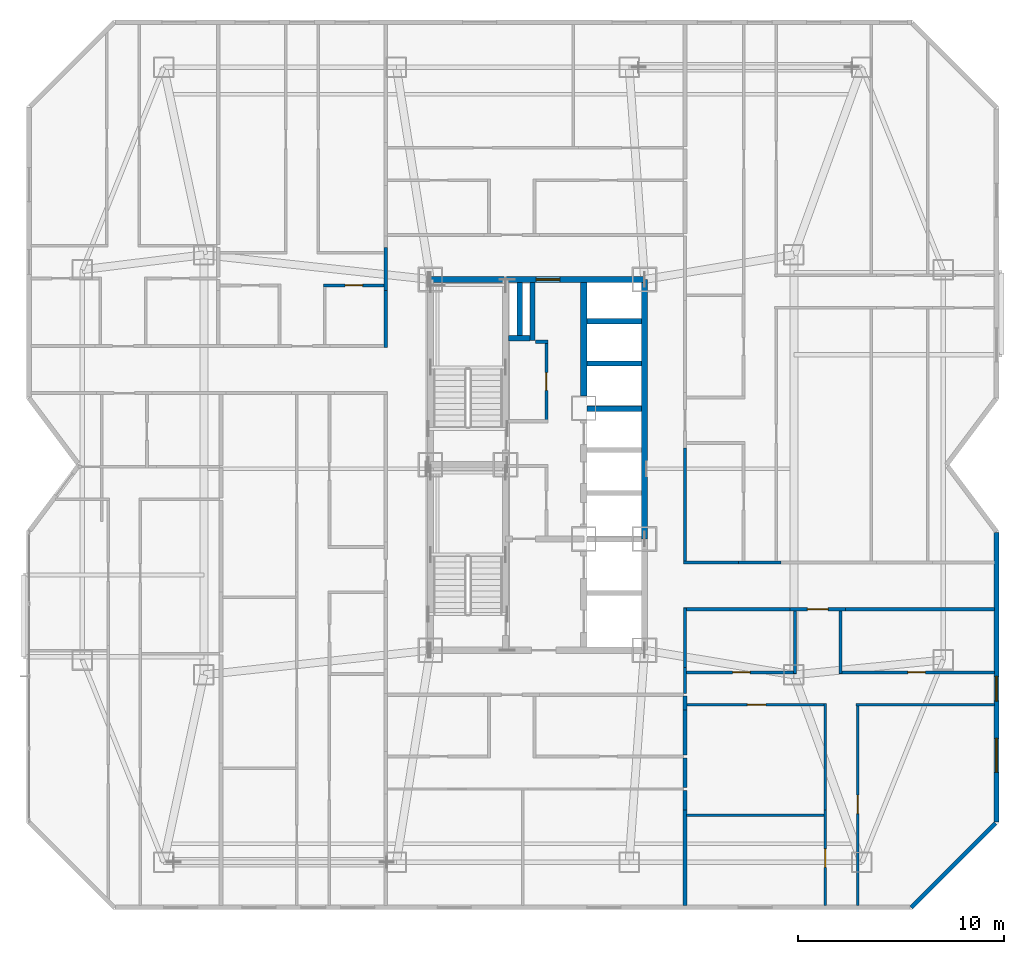
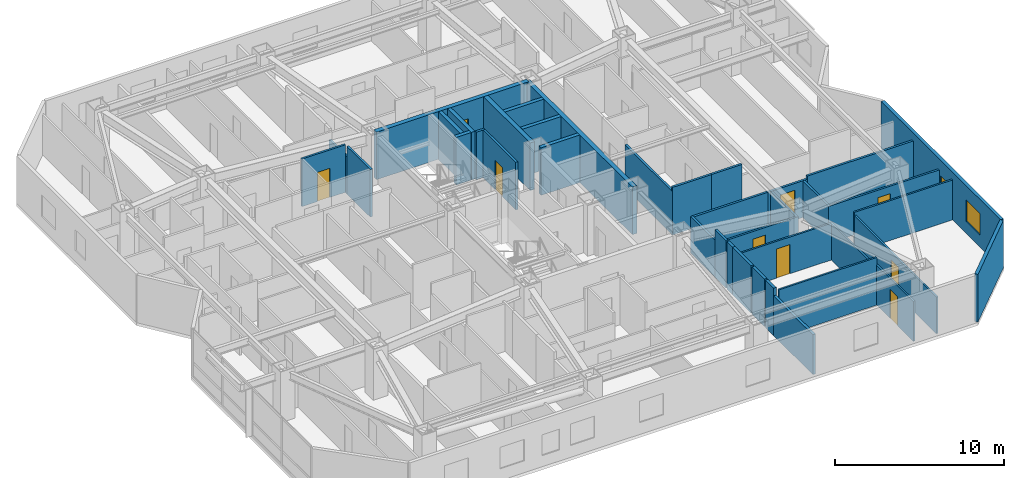
# One storey, part 14 of 18: 39 walls, 9 doors, 2 windows, 11 openings.
"""IFC4 building model written with IfcOpenShell, lengths in metres."""

from ifc_helpers import new_model, si_unit, direction, frame, frame_2d, origin, place, context, subcontext, project, spatial, rectangle, extrude, material, layer, layer_set, type_object, element, fill, save


model = new_model("IFC4")

# Units and contexts
model_context = context("Model", 3, precision=1e-05, world=origin(), true_north=direction((0.0, 1.0)))
body_context = subcontext(model_context, "Body", "Model", "MODEL_VIEW")
ifc_project = project(units=[si_unit("LENGTHUNIT", "METRE"), si_unit("AREAUNIT", "SQUARE_METRE"), si_unit("VOLUMEUNIT", "CUBIC_METRE"), si_unit("PLANEANGLEUNIT", "RADIAN"), si_unit("MASSUNIT", "GRAM", prefix="KILO")], contexts=[model_context])

# Site, building, storey
site_placement = place(None, origin())
site = spatial("IfcSite", under=ifc_project, at=site_placement, CompositionType="ELEMENT")
building_placement = place(site_placement, origin())
building = spatial("IfcBuilding", under=site, at=building_placement, Name="Khamvora Tower", CompositionType="ELEMENT")
storey_placement = place(building_placement, frame((0.0, 0.0, 109.199951171875)))
storey = spatial("IfcBuildingStorey", under=building, at=storey_placement, Name="L27", CompositionType="ELEMENT", Elevation=109.199951171875)

# Wall, opening, door
ifc_material_1 = material(Name="Concrete C50/60", Category="concrete")
ifc_layer_1 = layer(ifc_material_1, 0.300048828125)
ifc_layer_set_1 = layer_set([ifc_layer_1], Name="Concrete C50/60")
wall_type_1 = type_object("IfcWallType", Name="WAL-CORE-300", PredefinedType="SHEAR", material=ifc_layer_set_1)
wall_1_placement = place(storey_placement, frame((29.0, 37.0, 0.0), z_axis=(0.0, 0.0, 1.0), x_axis=(1.0, 0.0, 0.0)))
wall_1 = element("IfcWall", 1, at=wall_1_placement, inside=storey, type_object=wall_type_1, Name="L27 central core north wall", PredefinedType="SHEAR", context=body_context, shape_type="SweptSolid", body=[
    extrude(rectangle(XDim=10.39990234375, YDim=0.300048828125, at=frame_2d((5.199951171875, 0.0))), origin(), (0.0, 0.0, 1.0), 3.429931640625),
])
opening_1_placement = place(wall_1_placement, frame((5.139892578125, 0.0, 0.0)))
opening_1 = element("IfcOpeningElement", 2, at=opening_1_placement, cuts=wall_1, Name="Opening D-SC1", PredefinedType="OPENING", context=body_context, shape_type="SweptSolid", body=[
    extrude(rectangle(XDim=1.14990234375, YDim=2.199951171875, at=frame_2d((0.574951171875, 1.10009765625))), frame((0.0, 0.159912109375, 0.0), z_axis=(0.0, -1.0, 0.0), x_axis=(1.0, 0.0, 0.0)), (0.0, 0.0, 1.0), 0.320068359375),
])
ifc_material_2 = material(Name="Powder-Coated Steel and Hardwood Leaf", Category="steel")
door_type_1 = type_object("IfcDoorType", Name="DOR-SCHL-1150", OperationType="NOTDEFINED", PredefinedType="DOOR", material=ifc_material_2)
door_1_placement = place(opening_1_placement, origin())
door_1 = element("IfcDoor", 3, at=door_1_placement, inside=storey, type_object=door_type_1, Name="L27 north core lobby to corridor fire door", OperationType="SINGLE_SWING_RIGHT", OverallHeight=2.199951171875, OverallWidth=1.14990234375, PredefinedType="DOOR", context=body_context, shape_type="SweptSolid", body=[
    extrude(rectangle(XDim=1.14990234375, YDim=2.199951171875, at=frame_2d((0.574951171875, 1.10009765625))), frame((0.0, 0.02490234375, 0.0), z_axis=(0.0, -1.0, 0.0), x_axis=(1.0, 0.0, 0.0)), (0.0, 0.0, 1.0), 0.050048828125),
])
fill(opening_1, door_1)

# Walls
wall_2_placement = place(storey_placement, frame((39.39990234375, 24.39990234375, 0.0), z_axis=(0.0, 0.0, 1.0), x_axis=(0.0, 1.0, 0.0)))
element("IfcWall", 4, at=wall_2_placement, inside=storey, type_object=wall_type_1, Name="L27 central core east north wall", PredefinedType="SHEAR", context=body_context, shape_type="SweptSolid", body=[
    extrude(rectangle(XDim=12.60009765625, YDim=0.300048828125, at=frame_2d((6.300048828125, 0.0))), origin(), (0.0, 0.0, 1.0), 3.429931640625),
])
wall_3_placement = place(storey_placement, frame((36.449951171875, 31.35009765625, 0.0), z_axis=(0.0, 0.0, 1.0), x_axis=(0.0, 1.0, 0.0)))
element("IfcWall", 5, at=wall_3_placement, inside=storey, type_object=wall_type_1, Name="L27 central core lift bank north wall", PredefinedType="SHEAR", context=body_context, shape_type="SweptSolid", body=[
    extrude(rectangle(XDim=5.495849609375, YDim=0.300048828125, at=frame_2d((2.748046875, 0.0))), origin(), (0.0, 0.0, 1.0), 3.429931640625),
])

# Wall, opening, door
ifc_material_3 = material(Name="Fire-Rated Drywall and Steel Stud", Category="steel")
ifc_layer_2 = layer(ifc_material_3, 0.14990234375)
ifc_layer_set_2 = layer_set([ifc_layer_2], Name="Fire-Rated Drywall and Steel Stud")
wall_type_2 = type_object("IfcWallType", Name="WAL-CORR-150", PredefinedType="STANDARD", material=ifc_layer_set_2)
wall_4_placement = place(storey_placement, frame((34.635009765625, 30.052001953125, 0.0), z_axis=(0.0, 0.0, 1.0), x_axis=(0.0, 1.0, 0.0)))
wall_4 = element("IfcWall", 6, at=wall_4_placement, inside=storey, type_object=wall_type_2, Name="L27 interior partition wall 002", PredefinedType="STANDARD", context=body_context, shape_type="SweptSolid", body=[
    extrude(rectangle(XDim=3.988037109375, YDim=0.14990234375, at=frame_2d((1.994140625, 0.0))), origin(), (0.0, 0.0, 1.0), 3.429931640625),
])
opening_2_placement = place(wall_4_placement, frame((1.569091796875, 0.0, 0.0)))
opening_2 = element("IfcOpeningElement", 7, at=opening_2_placement, cuts=wall_4, Name="Opening D-WC1", PredefinedType="OPENING", context=body_context, shape_type="SweptSolid", body=[
    extrude(rectangle(XDim=0.85009765625, YDim=2.10009765625, at=frame_2d((0.425048828125, 1.050048828125))), frame((0.0, 0.0849609375, 0.0), z_axis=(0.0, -1.0, 0.0), x_axis=(1.0, 0.0, 0.0)), (0.0, 0.0, 1.0), 0.169921875),
])
door_type_2 = type_object("IfcDoorType", Name="DOR-WET-850", OperationType="NOTDEFINED", PredefinedType="DOOR", material=ifc_material_2)
door_2_placement = place(opening_2_placement, origin())
door_2 = element("IfcDoor", 8, at=door_2_placement, inside=storey, type_object=door_type_2, Name="L27 interior door PLL-CS1", OperationType="SINGLE_SWING_LEFT", OverallHeight=2.10009765625, OverallWidth=0.85009765625, PredefinedType="DOOR", context=body_context, shape_type="SweptSolid", body=[
    extrude(rectangle(XDim=0.85009765625, YDim=2.10009765625, at=frame_2d((0.425048828125, 1.050048828125))), frame((0.0, 0.02490234375, 0.0), z_axis=(0.0, -1.0, 0.0), x_axis=(1.0, 0.0, 0.0)), (0.0, 0.0, 1.0), 0.050048828125),
])
fill(opening_2, door_2)

# Walls
wall_5_placement = place(storey_placement, frame((34.699951171875, 33.97509765625, 0.0), z_axis=(0.0, 0.0, 1.0), x_axis=(-1.0, 0.0, 0.0)))
element("IfcWall", 9, at=wall_5_placement, inside=storey, type_object=wall_type_2, Name="L27 interior partition wall 003", PredefinedType="STANDARD", context=body_context, shape_type="SweptSolid", body=[
    extrude(rectangle(XDim=0.599853515625, YDim=0.14990234375, at=frame_2d((0.2998046875, 0.0))), origin(), (0.0, 0.0, 1.0), 3.429931640625),
])
wall_6_placement = place(storey_placement, frame((26.8349609375, 36.465087890625, 0.0), z_axis=(0.0, 0.0, 1.0), x_axis=(0.0, 1.0, 0.0)))
element("IfcWall", 10, at=wall_6_placement, inside=storey, type_object=wall_type_2, Name="L27 interior partition wall 019", PredefinedType="STANDARD", context=body_context, shape_type="SweptSolid", body=[
    extrude(rectangle(XDim=2.077880859375, YDim=0.14990234375, at=frame_2d((1.0390625, 0.0))), origin(), (0.0, 0.0, 1.0), 2.64697265625),
])
wall_7_placement = place(storey_placement, frame((26.8349609375, 33.699951171875, 0.0), z_axis=(0.0, 0.0, 1.0), x_axis=(0.0, 1.0, 0.0)))
element("IfcWall", 11, at=wall_7_placement, inside=storey, type_object=wall_type_2, Name="L27 interior partition wall 022", PredefinedType="STANDARD", context=body_context, shape_type="SweptSolid", body=[
    extrude(rectangle(XDim=2.76513671875, YDim=0.14990234375, at=frame_2d((1.382568359375, 0.0))), origin(), (0.0, 0.0, 1.0), 3.429931640625),
])

# Wall, opening, door
wall_8_placement = place(storey_placement, frame((49.158935546875, 20.985107421875, 0.0), z_axis=(0.0, 0.0, 1.0), x_axis=(-1.0, 0.0, 0.0)))
wall_8 = element("IfcWall", 12, at=wall_8_placement, inside=storey, type_object=wall_type_2, Name="L27 interior partition wall 031", PredefinedType="STANDARD", context=body_context, shape_type="SweptSolid", body=[
    extrude(rectangle(XDim=2.697998046875, YDim=0.14990234375, at=frame_2d((1.34912109375, 0.0))), origin(), (0.0, 0.0, 1.0), 2.64697265625),
])
opening_3_placement = place(wall_8_placement, frame((0.84912109375, 0.0, 0.0)))
opening_3 = element("IfcOpeningElement", 13, at=opening_3_placement, cuts=wall_8, Name="Opening D-U1", PredefinedType="OPENING", context=body_context, shape_type="SweptSolid", body=[
    extrude(rectangle(XDim=1.0, YDim=2.14990234375, at=frame_2d((0.5, 1.074951171875))), frame((0.0, 0.0849609375, 0.0), z_axis=(0.0, -1.0, 0.0), x_axis=(1.0, 0.0, 0.0)), (0.0, 0.0, 1.0), 0.169921875),
])
door_type_3 = type_object("IfcDoorType", Name="DOR-UNIT-1000", OperationType="NOTDEFINED", PredefinedType="DOOR", material=ifc_material_2)
door_3_placement = place(opening_3_placement, origin())
door_3 = element("IfcDoor", 14, at=door_3_placement, inside=storey, type_object=door_type_3, Name="L27 interior door COR-27EAH", OperationType="SINGLE_SWING_LEFT", OverallHeight=2.14990234375, OverallWidth=1.0, PredefinedType="DOOR", context=body_context, shape_type="SweptSolid", body=[
    extrude(rectangle(XDim=1.0, YDim=2.14990234375, at=frame_2d((0.5, 1.074951171875))), frame((0.0, 0.02490234375, 0.0), z_axis=(0.0, -1.0, 0.0), x_axis=(1.0, 0.0, 0.0)), (0.0, 0.0, 1.0), 0.050048828125),
])
fill(opening_3, door_3)

# Walls
wall_9_placement = place(storey_placement, frame((41.364990234375, 18.169921875, 0.0), z_axis=(0.0, 0.0, 1.0), x_axis=(0.0, -1.0, 0.0)))
element("IfcWall", 15, at=wall_9_placement, inside=storey, type_object=wall_type_2, Name="L27 interior partition wall 032", PredefinedType="STANDARD", context=body_context, shape_type="SweptSolid", body=[
    extrude(rectangle(XDim=1.27001953125, YDim=0.14990234375, at=frame_2d((0.635009765625, 0.0))), origin(), (0.0, 0.0, 1.0), 3.429931640625),
])
wall_10_placement = place(storey_placement, frame((46.4609375, 20.985107421875, 0.0), z_axis=(0.0, 0.0, 1.0), x_axis=(-1.0, 0.0, 0.0)))
element("IfcWall", 16, at=wall_10_placement, inside=storey, type_object=wall_type_2, Name="L27 interior partition wall 033", PredefinedType="STANDARD", context=body_context, shape_type="SweptSolid", body=[
    extrude(rectangle(XDim=5.160888671875, YDim=0.14990234375, at=frame_2d((2.58056640625, 0.0))), origin(), (0.0, 0.0, 1.0), 2.64697265625),
])
wall_11_placement = place(storey_placement, frame((41.364990234375, 21.050048828125, 0.0), z_axis=(0.0, 0.0, 1.0), x_axis=(0.0, -1.0, 0.0)))
element("IfcWall", 17, at=wall_11_placement, inside=storey, type_object=wall_type_2, Name="L27 interior partition wall 034", PredefinedType="STANDARD", context=body_context, shape_type="SweptSolid", body=[
    extrude(rectangle(XDim=2.880126953125, YDim=0.14990234375, at=frame_2d((1.43994140625, 0.0))), origin(), (0.0, 0.0, 1.0), 2.64697265625),
])
wall_12_placement = place(storey_placement, frame((56.387939453125, 20.985107421875, 0.0), z_axis=(0.0, 0.0, 1.0), x_axis=(-1.0, 0.0, 0.0)))
element("IfcWall", 18, at=wall_12_placement, inside=storey, type_object=wall_type_2, Name="L27 interior partition wall 035", PredefinedType="STANDARD", context=body_context, shape_type="SweptSolid", body=[
    extrude(rectangle(XDim=7.22900390625, YDim=0.14990234375, at=frame_2d((3.614501953125, 0.0))), origin(), (0.0, 0.0, 1.0), 2.8759765625),
])
wall_13_placement = place(storey_placement, frame((43.95703125, 23.264892578125, 0.0), z_axis=(0.0, 0.0, 1.0), x_axis=(1.0, 0.0, 0.0)))
element("IfcWall", 19, at=wall_13_placement, inside=storey, type_object=wall_type_2, Name="L27 interior partition wall 038", PredefinedType="STANDARD", context=body_context, shape_type="SweptSolid", body=[
    extrude(rectangle(XDim=2.077880859375, YDim=0.14990234375, at=frame_2d((1.0390625, 0.0))), origin(), (0.0, 0.0, 1.0), 3.429931640625),
])
wall_14_placement = place(storey_placement, frame((41.364990234375, 28.81689453125, 0.0), z_axis=(0.0, 0.0, 1.0), x_axis=(0.0, -1.0, 0.0)))
element("IfcWall", 20, at=wall_14_placement, inside=storey, type_object=wall_type_2, Name="L27 interior partition wall 040", PredefinedType="STANDARD", context=body_context, shape_type="SweptSolid", body=[
    extrude(rectangle(XDim=5.616943359375, YDim=0.14990234375, at=frame_2d((2.80859375, 0.0))), origin(), (0.0, 0.0, 1.0), 3.10693359375),
])
wall_15_placement = place(storey_placement, frame((41.300048828125, 23.264892578125, 0.0), z_axis=(0.0, 0.0, 1.0), x_axis=(1.0, 0.0, 0.0)))
element("IfcWall", 21, at=wall_15_placement, inside=storey, type_object=wall_type_2, Name="L27 interior partition wall 041", PredefinedType="STANDARD", context=body_context, shape_type="SweptSolid", body=[
    extrude(rectangle(XDim=2.656982421875, YDim=0.14990234375, at=frame_2d((1.32861328125, 0.0))), origin(), (0.0, 0.0, 1.0), 3.429931640625),
])
ifc_material_4 = material(Name="Acoustic Double-Stud Fire Wall", Category="gypsum")
ifc_layer_3 = layer(ifc_material_4, 0.179931640625)
ifc_layer_set_3 = layer_set([ifc_layer_3], Name="Acoustic Double-Stud Fire Wall")
wall_type_3 = type_object("IfcWallType", Name="WAL-CORR-180", PredefinedType="STANDARD", material=ifc_layer_set_3)
wall_16_placement = place(storey_placement, frame((41.364990234375, 13.77294921875, 0.0), z_axis=(0.0, 0.0, 1.0), x_axis=(0.0, -1.0, 0.0)))
element("IfcWall", 22, at=wall_16_placement, inside=storey, type_object=wall_type_3, Name="L27 interior partition wall 106", PredefinedType="STANDARD", context=body_context, shape_type="SweptSolid", body=[
    extrude(rectangle(XDim=1.449951171875, YDim=0.179931640625, at=frame_2d((0.72509765625, 0.0))), origin(), (0.0, 0.0, 1.0), 3.429931640625),
])
wall_17_placement = place(storey_placement, frame((41.364990234375, 16.77001953125, 0.0), z_axis=(0.0, 0.0, 1.0), x_axis=(0.0, -1.0, 0.0)))
element("IfcWall", 23, at=wall_17_placement, inside=storey, type_object=wall_type_3, Name="L27 interior partition wall 107", PredefinedType="STANDARD", context=body_context, shape_type="SweptSolid", body=[
    extrude(rectangle(XDim=0.677978515625, YDim=0.179931640625, at=frame_2d((0.3388671875, 0.0))), origin(), (0.0, 0.0, 1.0), 3.429931640625),
])
wall_18_placement = place(storey_placement, frame((41.364990234375, 16.092041015625, 0.0), z_axis=(0.0, 0.0, 1.0), x_axis=(0.0, -1.0, 0.0)))
element("IfcWall", 24, at=wall_18_placement, inside=storey, type_object=wall_type_3, Name="L27 interior partition wall 108", PredefinedType="STANDARD", context=body_context, shape_type="SweptSolid", body=[
    extrude(rectangle(XDim=2.18896484375, YDim=0.179931640625, at=frame_2d((1.094482421875, 0.0))), origin(), (0.0, 0.0, 1.0), 3.429931640625),
])
wall_19_placement = place(storey_placement, frame((41.364990234375, 11.238037109375, 0.0), z_axis=(0.0, 0.0, 1.0), x_axis=(0.0, -1.0, 0.0)))
element("IfcWall", 25, at=wall_19_placement, inside=storey, type_object=wall_type_3, Name="L27 interior partition wall 110", PredefinedType="STANDARD", context=body_context, shape_type="SweptSolid", body=[
    extrude(rectangle(XDim=4.6259765625, YDim=0.179931640625, at=frame_2d((2.31298828125, 0.0))), origin(), (0.0, 0.0, 1.0), 2.8759765625),
])
wall_20_placement = place(storey_placement, frame((41.364990234375, 12.193115234375, 0.0), z_axis=(0.0, 0.0, 1.0), x_axis=(0.0, -1.0, 0.0)))
element("IfcWall", 26, at=wall_20_placement, inside=storey, type_object=wall_type_3, Name="L27 interior partition wall 111", PredefinedType="STANDARD", context=body_context, shape_type="SweptSolid", body=[
    extrude(rectangle(XDim=0.955078125, YDim=0.179931640625, at=frame_2d((0.4775390625, 0.0))), origin(), (0.0, 0.0, 1.0), 3.429931640625),
])

# Wall, openings, windows
ifc_material_5 = material(Name="Precast concrete C40/50", Category="concrete")
ifc_layer_4 = layer(ifc_material_5, 0.219970703125)
ifc_layer_set_4 = layer_set([ifc_layer_4], Name="Precast concrete C40/50")
wall_type_4 = type_object("IfcWallType", Name="WAL-EXT-220", PredefinedType="STANDARD", material=ifc_layer_set_4)
wall_21_placement = place(storey_placement, frame((56.489990234375, 24.70703125, 0.0), z_axis=(0.0, 0.0, 1.0), x_axis=(0.0, -1.0, 0.0)))
wall_21 = element("IfcWall", 27, at=wall_21_placement, inside=storey, type_object=wall_type_4, Name="L27 exterior facade wall 12.1", PredefinedType="STANDARD", context=body_context, shape_type="SweptSolid", body=[
    extrude(rectangle(XDim=14.06103515625, YDim=0.219970703125, at=frame_2d((7.030517578125, 0.0))), origin(), (0.0, 0.0, 1.0), 3.429931640625),
])
opening_4_placement = place(wall_21_placement, frame((6.97607421875, 0.0, 0.800048828125)))
opening_4 = element("IfcOpeningElement", 28, at=opening_4_placement, cuts=wall_21, Name="Opening WN-03", PredefinedType="OPENING", context=body_context, shape_type="SweptSolid", body=[
    extrude(rectangle(XDim=1.199951171875, YDim=1.5, at=frame_2d((0.60009765625, 0.75))), frame((0.0, 0.119873046875, 0.0), z_axis=(0.0, -1.0, 0.0), x_axis=(1.0, 0.0, 0.0)), (0.0, 0.0, 1.0), 0.239990234375),
])
opening_5_placement = place(wall_21_placement, frame((9.99609375, 0.0, 0.85009765625)))
opening_5 = element("IfcOpeningElement", 29, at=opening_5_placement, cuts=wall_21, Name="Opening WN-06", PredefinedType="OPENING", context=body_context, shape_type="SweptSolid", body=[
    extrude(rectangle(XDim=1.64990234375, YDim=1.550048828125, at=frame_2d((0.824951171875, 0.77490234375))), frame((0.0, 0.119873046875, 0.0), z_axis=(0.0, -1.0, 0.0), x_axis=(1.0, 0.0, 0.0)), (0.0, 0.0, 1.0), 0.239990234375),
])
ifc_material_6 = material(Name="Low-E Laminated Double Glazing", Category="glass")
window_type_1 = type_object("IfcWindowType", Name="WIN-VIS-1200x1500", PartitioningType="SINGLE_PANEL", PredefinedType="WINDOW", material=ifc_material_6)
window_1_placement = place(opening_4_placement, origin())
window_1 = element("IfcWindow", 30, at=window_1_placement, inside=storey, type_object=window_type_1, Name="L27 vision window 12.1.01", OverallHeight=1.5, OverallWidth=1.199951171875, PartitioningType="SINGLE_PANEL", PredefinedType="WINDOW", context=body_context, shape_type="SweptSolid", body=[
    extrude(rectangle(XDim=1.199951171875, YDim=1.5, at=frame_2d((0.60009765625, 0.75))), frame((0.0, 0.030029296875, 0.0), z_axis=(0.0, -1.0, 0.0), x_axis=(1.0, 0.0, 0.0)), (0.0, 0.0, 1.0), 0.06005859375),
])
fill(opening_4, window_1)
window_type_2 = type_object("IfcWindowType", Name="WIN-VIS-1650x1550", PartitioningType="SINGLE_PANEL", PredefinedType="WINDOW", material=ifc_material_6)
window_2_placement = place(opening_5_placement, origin())
window_2 = element("IfcWindow", 31, at=window_2_placement, inside=storey, type_object=window_type_2, Name="L27 vision window 12.1.02", OverallHeight=1.550048828125, OverallWidth=1.64990234375, PartitioningType="SINGLE_PANEL", PredefinedType="WINDOW", context=body_context, shape_type="SweptSolid", body=[
    extrude(rectangle(XDim=1.64990234375, YDim=1.550048828125, at=frame_2d((0.824951171875, 0.77490234375))), frame((0.0, 0.030029296875, 0.0), z_axis=(0.0, -1.0, 0.0), x_axis=(1.0, 0.0, 0.0)), (0.0, 0.0, 1.0), 0.06005859375),
])
fill(opening_5, window_2)

# Wall
wall_22_placement = place(storey_placement, frame((56.43994140625, 10.595947265625, 0.0), z_axis=(0.0, 0.0, 1.0), x_axis=(-0.707106781187, -0.707106781187, 0.0)))
element("IfcWall", 32, at=wall_22_placement, inside=storey, type_object=wall_type_4, Name="L27 exterior facade wall 13.1", PredefinedType="STANDARD", context=body_context, shape_type="SweptSolid", body=[
    extrude(rectangle(XDim=5.7783203125, YDim=0.219970703125, at=frame_2d((2.88916015625, 0.0))), origin(), (0.0, 0.0, 1.0), 3.429931640625),
])

# Wall, opening, door
ifc_material_7 = material(Name="Gypsum Plasterboard Partition", Category="gypsum")
ifc_layer_5 = layer(ifc_material_7, 0.1201171875)
ifc_layer_set_5 = layer_set([ifc_layer_5], Name="Gypsum Plasterboard Partition")
wall_type_5 = type_object("IfcWallType", Name="WAL-PART-120", PredefinedType="PARTITIONING", material=ifc_layer_set_5)
wall_23_placement = place(storey_placement, frame((48.175048828125, 6.612060546875, 0.0), z_axis=(0.0, 0.0, 1.0), x_axis=(0.0, 1.0, 0.0)))
wall_23 = element("IfcWall", 33, at=wall_23_placement, inside=storey, type_object=wall_type_5, Name="L27 interior partition wall 126", PredefinedType="PARTITIONING", context=body_context, shape_type="SweptSolid", body=[
    extrude(rectangle(XDim=4.6259765625, YDim=0.1201171875, at=frame_2d((2.31298828125, 0.0))), origin(), (0.0, 0.0, 1.0), 2.8759765625),
])
opening_6_placement = place(wall_23_placement, frame((1.842041015625, 0.0, 0.0)))
opening_6 = element("IfcOpeningElement", 34, at=opening_6_placement, cuts=wall_23, Name="Opening D-RM1", PredefinedType="OPENING", context=body_context, shape_type="SweptSolid", body=[
    extrude(rectangle(XDim=0.89990234375, YDim=2.10009765625, at=frame_2d((0.449951171875, 1.050048828125))), frame((0.0, 0.070068359375, 0.0), z_axis=(0.0, -1.0, 0.0), x_axis=(1.0, 0.0, 0.0)), (0.0, 0.0, 1.0), 0.14013671875),
])
door_type_4 = type_object("IfcDoorType", Name="DOR-ROOM-900", OperationType="NOTDEFINED", PredefinedType="DOOR", material=ifc_material_2)
door_4_placement = place(opening_6_placement, origin())
door_4 = element("IfcDoor", 35, at=door_4_placement, inside=storey, type_object=door_type_4, Name="L27 interior door 27EAH-27EAL", OperationType="SINGLE_SWING_LEFT", OverallHeight=2.10009765625, OverallWidth=0.89990234375, PredefinedType="DOOR", context=body_context, shape_type="SweptSolid", body=[
    extrude(rectangle(XDim=0.89990234375, YDim=2.10009765625, at=frame_2d((0.449951171875, 1.050048828125))), frame((0.0, 0.02490234375, 0.0), z_axis=(0.0, -1.0, 0.0), x_axis=(1.0, 0.0, 0.0)), (0.0, 0.0, 1.0), 0.050048828125),
])
fill(opening_6, door_4)

# Wall
wall_24_placement = place(storey_placement, frame((48.175048828125, 11.238037109375, 0.0), z_axis=(0.0, 0.0, 1.0), x_axis=(0.0, 1.0, 0.0)))
element("IfcWall", 36, at=wall_24_placement, inside=storey, type_object=wall_type_5, Name="L27 interior partition wall 127", PredefinedType="PARTITIONING", context=body_context, shape_type="SweptSolid", body=[
    extrude(rectangle(XDim=5.16796875, YDim=0.1201171875, at=frame_2d((2.583984375, 0.0))), origin(), (0.0, 0.0, 1.0), 2.64697265625),
])

# Wall, opening, door
wall_25_placement = place(storey_placement, frame((48.239990234375, 16.341064453125, 0.0), z_axis=(0.0, 0.0, 1.0), x_axis=(-1.0, 0.0, 0.0)))
wall_25 = element("IfcWall", 37, at=wall_25_placement, inside=storey, type_object=wall_type_5, Name="L27 interior partition wall 128", PredefinedType="PARTITIONING", context=body_context, shape_type="SweptSolid", body=[
    extrude(rectangle(XDim=6.79296875, YDim=0.1201171875, at=frame_2d((3.396484375, 0.0))), origin(), (0.0, 0.0, 1.0), 2.64697265625),
])
opening_7_placement = place(wall_25_placement, frame((2.946044921875, 0.0, 0.0)))
opening_7 = element("IfcOpeningElement", 38, at=opening_7_placement, cuts=wall_25, Name="Opening D-RM1", PredefinedType="OPENING", context=body_context, shape_type="SweptSolid", body=[
    extrude(rectangle(XDim=0.89990234375, YDim=2.10009765625, at=frame_2d((0.449951171875, 1.050048828125))), frame((0.0, 0.070068359375, 0.0), z_axis=(0.0, -1.0, 0.0), x_axis=(1.0, 0.0, 0.0)), (0.0, 0.0, 1.0), 0.14013671875),
])
door_5_placement = place(opening_7_placement, origin())
door_5 = element("IfcDoor", 39, at=door_5_placement, inside=storey, type_object=door_type_4, Name="L27 interior door 27EAH-27EAR2", OperationType="SINGLE_SWING_RIGHT", OverallHeight=2.10009765625, OverallWidth=0.89990234375, PredefinedType="DOOR", context=body_context, shape_type="SweptSolid", body=[
    extrude(rectangle(XDim=0.89990234375, YDim=2.10009765625, at=frame_2d((0.449951171875, 1.050048828125))), frame((0.0, 0.02490234375, 0.0), z_axis=(0.0, -1.0, 0.0), x_axis=(1.0, 0.0, 0.0)), (0.0, 0.0, 1.0), 0.050048828125),
])
fill(opening_7, door_5)

# Wall
wall_26_placement = place(storey_placement, frame((56.387939453125, 16.341064453125, 0.0), z_axis=(0.0, 0.0, 1.0), x_axis=(-1.0, 0.0, 0.0)))
element("IfcWall", 40, at=wall_26_placement, inside=storey, type_object=wall_type_5, Name="L27 interior partition wall 129", PredefinedType="PARTITIONING", context=body_context, shape_type="SweptSolid", body=[
    extrude(rectangle(XDim=6.7080078125, YDim=0.1201171875, at=frame_2d((3.35400390625, 0.0))), origin(), (0.0, 0.0, 1.0), 2.8759765625),
])

# Wall, opening, door
wall_27_placement = place(storey_placement, frame((49.7451171875, 16.406005859375, 0.0), z_axis=(0.0, 0.0, 1.0), x_axis=(0.0, -1.0, 0.0)))
wall_27 = element("IfcWall", 41, at=wall_27_placement, inside=storey, type_object=wall_type_5, Name="L27 interior partition wall 130", PredefinedType="PARTITIONING", context=body_context, shape_type="SweptSolid", body=[
    extrude(rectangle(XDim=9.7939453125, YDim=0.1201171875, at=frame_2d((4.89697265625, 0.0))), origin(), (0.0, 0.0, 1.0), 2.64697265625),
])
opening_8_placement = place(wall_27_placement, frame((4.447021484375, 0.0, 0.0)))
opening_8 = element("IfcOpeningElement", 42, at=opening_8_placement, cuts=wall_27, Name="Opening D-RM1", PredefinedType="OPENING", context=body_context, shape_type="SweptSolid", body=[
    extrude(rectangle(XDim=0.89990234375, YDim=2.10009765625, at=frame_2d((0.449951171875, 1.050048828125))), frame((0.0, 0.070068359375, 0.0), z_axis=(0.0, -1.0, 0.0), x_axis=(1.0, 0.0, 0.0)), (0.0, 0.0, 1.0), 0.14013671875),
])
door_6_placement = place(opening_8_placement, origin())
door_6 = element("IfcDoor", 43, at=door_6_placement, inside=storey, type_object=door_type_4, Name="L27 interior door 27EAH-27EAR3", OperationType="SINGLE_SWING_LEFT", OverallHeight=2.10009765625, OverallWidth=0.89990234375, PredefinedType="DOOR", context=body_context, shape_type="SweptSolid", body=[
    extrude(rectangle(XDim=0.89990234375, YDim=2.10009765625, at=frame_2d((0.449951171875, 1.050048828125))), frame((0.0, 0.02490234375, 0.0), z_axis=(0.0, -1.0, 0.0), x_axis=(1.0, 0.0, 0.0)), (0.0, 0.0, 1.0), 0.050048828125),
])
fill(opening_8, door_6)

# Walls
wall_28_placement = place(storey_placement, frame((41.447021484375, 10.989013671875, 0.0), z_axis=(0.0, 0.0, 1.0), x_axis=(1.0, 0.0, 0.0)))
element("IfcWall", 44, at=wall_28_placement, inside=storey, type_object=wall_type_5, Name="L27 interior partition wall 131", PredefinedType="PARTITIONING", context=body_context, shape_type="SweptSolid", body=[
    extrude(rectangle(XDim=6.674072265625, YDim=0.1201171875, at=frame_2d((3.3369140625, 0.0))), origin(), (0.0, 0.0, 1.0), 3.429931640625),
])
ifc_material_8 = material(Name="Concrete C40/50", Category="concrete")
ifc_layer_6 = layer(ifc_material_8, 0.25)
ifc_layer_set_6 = layer_set([ifc_layer_6], Name="Concrete C40/50")
wall_type_6 = type_object("IfcWallType", Name="WAL-PODS-250", PredefinedType="SHEAR", material=ifc_layer_set_6)
for number, where, z_axis, x_axis, name in (
    (45, (36.60400390625, 30.72509765625, 0.0), (0.0, 0.0, 1.0), (1.0, 0.0, 0.0), "L27 lift shaft divider wall PL-03"),
    (46, (36.60400390625, 32.925048828125, 0.0), (0.0, 0.0, 1.0), (1.0, 0.0, 0.0), "L27 lift shaft divider wall PH-01"),
    (47, (36.60400390625, 34.97509765625, 0.0), (0.0, 0.0, 1.0), (1.0, 0.0, 0.0), "L27 lift shaft divider wall PH-02"),
):
    element("IfcWall", number, at=place(storey_placement, frame(where, z_axis=z_axis, x_axis=x_axis)), inside=storey, type_object=wall_type_6, Name=name, PredefinedType="SHEAR", context=body_context, shape_type="SweptSolid", body=[
        extrude(rectangle(XDim=2.64208984375, YDim=0.25, at=frame_2d((1.321044921875, 0.0))), origin(), (0.0, 0.0, 1.0), 3.429931640625),
    ])
wall_29_placement = place(storey_placement, frame((33.955078125, 34.02490234375, 0.0), z_axis=(0.0, 0.0, 1.0), x_axis=(0.0, 1.0, 0.0)))
element("IfcWall", 48, at=wall_29_placement, inside=storey, type_object=wall_type_6, Name="L27 vertical MEP riser shaft east enclosure wall", PredefinedType="SHEAR", context=body_context, shape_type="SweptSolid", body=[
    extrude(rectangle(XDim=2.821044921875, YDim=0.25, at=frame_2d((1.41064453125, 0.0))), origin(), (0.0, 0.0, 1.0), 3.429931640625),
])
wall_30_placement = place(storey_placement, frame((32.803955078125, 34.14990234375, 0.0), z_axis=(0.0, 0.0, 1.0), x_axis=(1.0, 0.0, 0.0)))
element("IfcWall", 49, at=wall_30_placement, inside=storey, type_object=wall_type_6, Name="L27 vertical MEP riser shaft south enclosure wall", PredefinedType="SHEAR", context=body_context, shape_type="SweptSolid", body=[
    extrude(rectangle(XDim=1.02197265625, YDim=0.25, at=frame_2d((0.510986328125, 0.0))), origin(), (0.0, 0.0, 1.0), 3.429931640625),
])
wall_31_placement = place(storey_placement, frame((33.340087890625, 34.279052734375, 0.0), z_axis=(0.0, 0.0, 1.0), x_axis=(0.0, 1.0, 0.0)))
element("IfcWall", 50, at=wall_31_placement, inside=storey, type_object=wall_type_6, Name="L27 vertical MEP riser shaft divider enclosure wall", PredefinedType="SHEAR", context=body_context, shape_type="SweptSolid", body=[
    extrude(rectangle(XDim=2.56689453125, YDim=0.25, at=frame_2d((1.283447265625, 0.0))), origin(), (0.0, 0.0, 1.0), 3.429931640625),
])

# Wall, opening, door
ifc_material_9 = material(Name="Moisture-Resistant Plasterboard Partition", Category="gypsum")
ifc_layer_7 = layer(ifc_material_9, 0.135009765625)
ifc_layer_set_7 = layer_set([ifc_layer_7], Name="Moisture-Resistant Plasterboard Partition")
wall_type_7 = type_object("IfcWallType", Name="WAL-WET-135", PredefinedType="PARTITIONING", material=ifc_layer_set_7)
wall_32_placement = place(storey_placement, frame((26.77001953125, 36.714111328125, 0.0), z_axis=(0.0, 0.0, 1.0), x_axis=(-1.0, 0.0, 0.0)))
wall_32 = element("IfcWall", 51, at=wall_32_placement, inside=storey, type_object=wall_type_7, Name="L27 interior partition wall 091", PredefinedType="PARTITIONING", context=body_context, shape_type="SweptSolid", body=[
    extrude(rectangle(XDim=2.965087890625, YDim=0.135009765625, at=frame_2d((1.482421875, 0.0))), origin(), (0.0, 0.0, 1.0), 3.429931640625),
])
opening_9_placement = place(wall_32_placement, frame((1.056884765625, 0.0, 0.0)))
opening_9 = element("IfcOpeningElement", 52, at=opening_9_placement, cuts=wall_32, Name="Opening D-RM2", PredefinedType="OPENING", context=body_context, shape_type="SweptSolid", body=[
    extrude(rectangle(XDim=0.85009765625, YDim=2.10009765625, at=frame_2d((0.425048828125, 1.050048828125))), frame((0.0, 0.077392578125, 0.0), z_axis=(0.0, -1.0, 0.0), x_axis=(1.0, 0.0, 0.0)), (0.0, 0.0, 1.0), 0.155029296875),
])
door_type_5 = type_object("IfcDoorType", Name="DOR-ROOM-850", OperationType="NOTDEFINED", PredefinedType="DOOR", material=ifc_material_2)
door_7_placement = place(opening_9_placement, origin())
door_7 = element("IfcDoor", 53, at=door_7_placement, inside=storey, type_object=door_type_5, Name="L27 interior door 27WCH-27WCK", OperationType="SINGLE_SWING_RIGHT", OverallHeight=2.10009765625, OverallWidth=0.85009765625, PredefinedType="DOOR", context=body_context, shape_type="SweptSolid", body=[
    extrude(rectangle(XDim=0.85009765625, YDim=2.10009765625, at=frame_2d((0.425048828125, 1.050048828125))), frame((0.0, 0.02490234375, 0.0), z_axis=(0.0, -1.0, 0.0), x_axis=(1.0, 0.0, 0.0)), (0.0, 0.0, 1.0), 0.050048828125),
])
fill(opening_9, door_7)

wall_33_placement = place(storey_placement, frame((41.431884765625, 17.9208984375, 0.0), z_axis=(0.0, 0.0, 1.0), x_axis=(1.0, 0.0, 0.0)))
wall_33 = element("IfcWall", 54, at=wall_33_placement, inside=storey, type_object=wall_type_7, Name="L27 interior partition wall 122", PredefinedType="PARTITIONING", context=body_context, shape_type="SweptSolid", body=[
    extrude(rectangle(XDim=5.343017578125, YDim=0.135009765625, at=frame_2d((2.67138671875, 0.0))), origin(), (0.0, 0.0, 1.0), 2.64697265625),
])
opening_10_placement = place(wall_33_placement, frame((2.2470703125, 0.0, 0.0)))
opening_10 = element("IfcOpeningElement", 55, at=opening_10_placement, cuts=wall_33, Name="Opening D-WC1", PredefinedType="OPENING", context=body_context, shape_type="SweptSolid", body=[
    extrude(rectangle(XDim=0.85009765625, YDim=2.10009765625, at=frame_2d((0.425048828125, 1.050048828125))), frame((0.0, 0.077392578125, 0.0), z_axis=(0.0, -1.0, 0.0), x_axis=(1.0, 0.0, 0.0)), (0.0, 0.0, 1.0), 0.155029296875),
])
door_8_placement = place(opening_10_placement, origin())
door_8 = element("IfcDoor", 56, at=door_8_placement, inside=storey, type_object=door_type_2, Name="L27 interior door 27EAH-27EAB", OperationType="SINGLE_SWING_LEFT", OverallHeight=2.10009765625, OverallWidth=0.85009765625, PredefinedType="DOOR", context=body_context, shape_type="SweptSolid", body=[
    extrude(rectangle(XDim=0.85009765625, YDim=2.10009765625, at=frame_2d((0.425048828125, 1.050048828125))), frame((0.0, 0.02490234375, 0.0), z_axis=(0.0, -1.0, 0.0), x_axis=(1.0, 0.0, 0.0)), (0.0, 0.0, 1.0), 0.050048828125),
])
fill(opening_10, door_8)

# Walls
for number, where, z_axis, x_axis, name in (
    (57, (46.7099609375, 17.85595703125, 0.0), (0.0, 0.0, 1.0), (0.0, 1.0, 0.0), "L27 interior partition wall 123"),
    (58, (48.909912109375, 20.91796875, 0.0), (0.0, 0.0, 1.0), (0.0, -1.0, 0.0), "L27 interior partition wall 124"),
):
    element("IfcWall", number, at=place(storey_placement, frame(where, z_axis=z_axis, x_axis=x_axis)), inside=storey, type_object=wall_type_7, Name=name, PredefinedType="PARTITIONING", context=body_context, shape_type="SweptSolid", body=[
        extrude(rectangle(XDim=3.06201171875, YDim=0.135009765625, at=frame_2d((1.531005859375, 0.0))), origin(), (0.0, 0.0, 1.0), 2.64697265625),
    ])

# Wall, opening, door
wall_34_placement = place(storey_placement, frame((48.844970703125, 17.9208984375, 0.0), z_axis=(0.0, 0.0, 1.0), x_axis=(1.0, 0.0, 0.0)))
wall_34 = element("IfcWall", 59, at=wall_34_placement, inside=storey, type_object=wall_type_7, Name="L27 interior partition wall 125", PredefinedType="PARTITIONING", context=body_context, shape_type="SweptSolid", body=[
    extrude(rectangle(XDim=7.54296875, YDim=0.135009765625, at=frame_2d((3.771484375, 0.0))), origin(), (0.0, 0.0, 1.0), 2.64697265625),
])
opening_11_placement = place(wall_34_placement, frame((3.346923828125, 0.0, 0.0)))
opening_11 = element("IfcOpeningElement", 60, at=opening_11_placement, cuts=wall_34, Name="Opening D-RM2", PredefinedType="OPENING", context=body_context, shape_type="SweptSolid", body=[
    extrude(rectangle(XDim=0.85009765625, YDim=2.10009765625, at=frame_2d((0.425048828125, 1.050048828125))), frame((0.0, 0.077392578125, 0.0), z_axis=(0.0, -1.0, 0.0), x_axis=(1.0, 0.0, 0.0)), (0.0, 0.0, 1.0), 0.155029296875),
])
door_9_placement = place(opening_11_placement, origin())
door_9 = element("IfcDoor", 61, at=door_9_placement, inside=storey, type_object=door_type_5, Name="L27 interior door 27EAH-27EAK", OperationType="SINGLE_SWING_LEFT", OverallHeight=2.10009765625, OverallWidth=0.85009765625, PredefinedType="DOOR", context=body_context, shape_type="SweptSolid", body=[
    extrude(rectangle(XDim=0.85009765625, YDim=2.10009765625, at=frame_2d((0.425048828125, 1.050048828125))), frame((0.0, 0.02490234375, 0.0), z_axis=(0.0, -1.0, 0.0), x_axis=(1.0, 0.0, 0.0)), (0.0, 0.0, 1.0), 0.050048828125),
])
fill(opening_11, door_9)

save(model, "model.ifc")
